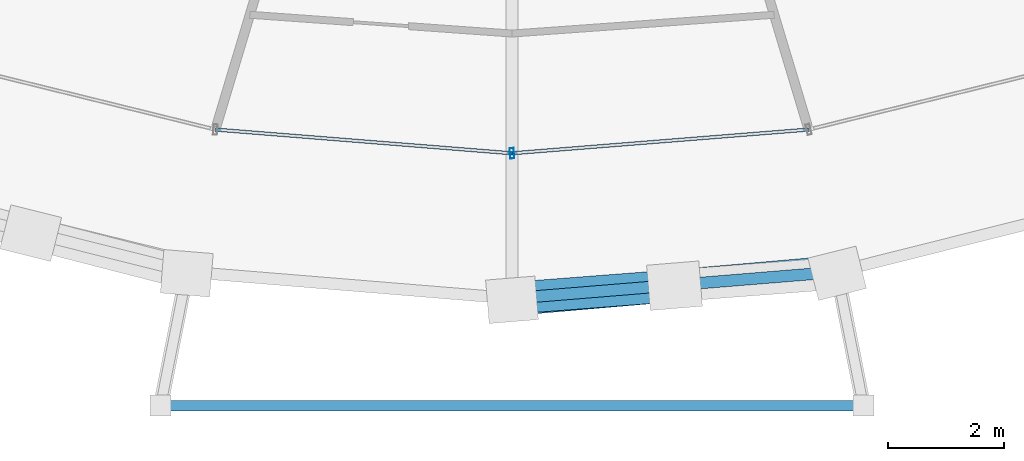
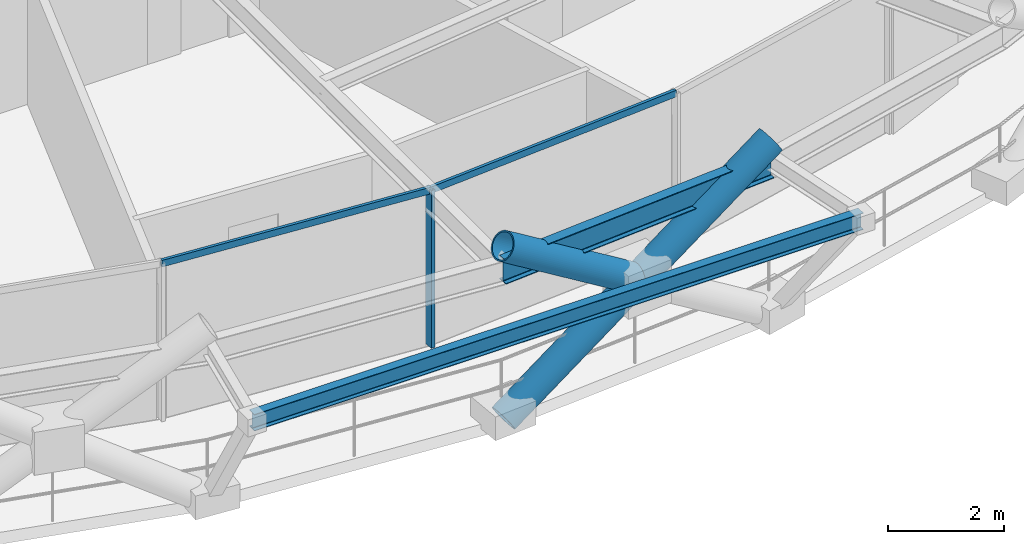
# One storey, part 3 of 21: 5 members, 2 beams, 1 element without a shape of its own.
"""IFC4 building model written with IfcOpenShell, lengths in metres."""

from ifc_helpers import new_model, si_unit, direction, frame, origin, origin_2d, place, context, subcontext, project, spatial, hollow_rectangle, hollow_circle, i_section, extrude, material, layer, layer_set, material_profile, profile_set, type_object, element, aggregate, save


model = new_model("IFC4")

# Units and contexts
model_context = context("Model", 3, precision=1e-05, world=origin(), true_north=direction((0.0, 1.0)))
body_context = subcontext(model_context, "Body", "Model", "MODEL_VIEW")
ifc_project = project(units=[si_unit("LENGTHUNIT", "METRE"), si_unit("AREAUNIT", "SQUARE_METRE"), si_unit("VOLUMEUNIT", "CUBIC_METRE"), si_unit("PLANEANGLEUNIT", "RADIAN"), si_unit("MASSUNIT", "GRAM", prefix="KILO")], contexts=[model_context])

# Site, building, storey
site_placement = place(None, origin())
site = spatial("IfcSite", under=ifc_project, at=site_placement, CompositionType="ELEMENT")
building_placement = place(site_placement, origin())
building = spatial("IfcBuilding", under=site, at=building_placement, Name="Veldorina Hangang Commons", CompositionType="ELEMENT")
storey_placement = place(building_placement, frame((0.0, 0.0, 120.800048828125)))
storey = spatial("IfcBuildingStorey", under=building, at=storey_placement, Name="L30", CompositionType="ELEMENT", Elevation=120.800048828125)

# Beams
ifc_material_1 = material(Name="Steel SM355-TMC", Category="steel")
ifc_material_profile_1 = material_profile(ifc_material_1, i_section(OverallWidth=0.175048828125, OverallDepth=0.35009765625, WebThickness=0.007080078125, FlangeThickness=0.010986328125, FilletRadius=0.012939453125, at=origin_2d()), Name="H-350x175x7x11")
ifc_profile_set_1 = profile_set([ifc_material_profile_1], Name="Steel SM355-TMC")
beam_type_1 = type_object("IfcBeamType", Name="BM-FG350", PredefinedType="BEAM", material=ifc_profile_set_1)
beam_1_placement = place(storey_placement, frame((25.956787109375, -1.58740234375, 3.175048828125), z_axis=(1.0, 0.0, 0.0), x_axis=(0.0, 1.0, 0.0)))
element("IfcBeam", 1, at=beam_1_placement, inside=storey, type_object=beam_type_1, Name="L31 tree balcony 1 outer rim beam", PredefinedType="BEAM", context=body_context, shape_type="SweptSolid", body=[
    extrude(i_section(OverallWidth=0.175048828125, OverallDepth=0.35009765625, WebThickness=0.007080078125, FlangeThickness=0.010986328125, FilletRadius=0.012939453125, at=origin_2d()), origin(), (0.0, 0.0, 1.0), 12.08642578125),
])
ifc_material_2 = material(Name="Steel SM420-TMC", Category="steel")
ifc_material_profile_2 = material_profile(ifc_material_2, i_section(OverallWidth=0.199951171875, OverallDepth=0.5, WebThickness=0.010009765625, FlangeThickness=0.01611328125, FilletRadius=0.01611328125, at=origin_2d()), Name="H-500x200x10x16")
ifc_profile_set_2 = profile_set([ifc_material_profile_2], Name="Steel SM420-TMC")
beam_type_2 = type_object("IfcBeamType", Name="BM-RB500", PredefinedType="BEAM", material=ifc_profile_set_2)
beam_2_placement = place(storey_placement, frame((32.0, 0.257568359375, 3.099853515625), z_axis=(0.996683750667, 0.081372606916, 0.0), x_axis=(-0.081372606916, 0.996683750667, 0.0)))
element("IfcBeam", 2, at=beam_2_placement, inside=storey, type_object=beam_type_2, Name="L30 perimeter hoop ring beam 24", PredefinedType="BEAM", context=body_context, shape_type="SweptSolid", body=[
    extrude(i_section(OverallWidth=0.199951171875, OverallDepth=0.5, WebThickness=0.010009765625, FlangeThickness=0.01611328125, FilletRadius=0.01611328125, at=origin_2d()), origin(), (0.0, 0.0, 1.0), 5.6044921875),
])

# Curtain wall, members
ifc_material_3 = material(Name="Glass Low-E Triple IGU", Category="glass")
ifc_layer = layer(ifc_material_3, 0.179931640625)
ifc_layer_set = layer_set([ifc_layer], Name="Glass Low-E Triple IGU")
curtain_wall_type = type_object("IfcCurtainWallType", Name="CW-SYS-Z2", PredefinedType="NOTDEFINED", material=ifc_layer_set)
curtain_wall_placement = place(storey_placement, origin())
curtain_wall = element("IfcCurtainWall", 3, at=curtain_wall_placement, inside=storey, type_object=curtain_wall_type, Name="L30 unitised curtain wall CW-L30-R1", PredefinedType="NOTDEFINED")
ifc_material_4 = material(Name="Aluminium Anodized AA6063-T6", Category="aluminium")
ifc_material_profile_3 = material_profile(ifc_material_4, hollow_rectangle(XDim=0.070068359375, YDim=0.179931640625, WallThickness=0.00390625, at=origin_2d()), Name="ALU-RHS-180x70x4")
ifc_profile_set_3 = profile_set([ifc_material_profile_3], Name="Aluminium Anodized AA6063-T6")
member_type_1 = type_object("IfcMemberType", Name="CW-MUL-180", PredefinedType="MULLION", material=ifc_profile_set_3)
member_1_placement = place(storey_placement, frame((32.0, 2.753173828125, 0.0), z_axis=(0.0, 0.0, 1.0), x_axis=(0.996812384655, 0.079781387545, 0.0)))
member_1 = element("IfcMember", 4, at=member_1_placement, type_object=member_type_1, Name="CW-L30-R1 vertical mullion 3", PredefinedType="MULLION", context=body_context, shape_type="SweptSolid", body=[
    extrude(hollow_rectangle(XDim=0.070068359375, YDim=0.179931640625, WallThickness=0.00390625, at=origin_2d()), origin(), (0.0, 0.0, 1.0), 3.31005859375),
])
ifc_material_profile_4 = material_profile(ifc_material_4, hollow_rectangle(XDim=0.06005859375, YDim=0.139892578125, WallThickness=0.00341796875, at=origin_2d()), Name="ALU-RHS-140x60x3.5")
ifc_profile_set_4 = profile_set([ifc_material_profile_4], Name="Aluminium Anodized AA6063-T6")
member_type_2 = type_object("IfcMemberType", Name="CW-TRN-140", PredefinedType="USERDEFINED", material=ifc_profile_set_4)
member_2_placement = place(storey_placement, frame((26.89892578125, 3.161376953125, 3.27001953125), z_axis=(0.996813457935, -0.079767976532, 0.0), x_axis=(0.079767976532, 0.996813457935, 0.0)))
member_2 = element("IfcMember", 5, at=member_2_placement, type_object=member_type_2, Name="CW-L30-R1 facet 2 transom 1", ObjectType="TRANSOM", PredefinedType="USERDEFINED", context=body_context, shape_type="SweptSolid", body=[
    extrude(hollow_rectangle(XDim=0.06005859375, YDim=0.139892578125, WallThickness=0.00341796875, at=origin_2d()), origin(), (0.0, 0.0, 1.0), 5.117431640625),
])
member_3_placement = place(storey_placement, frame((32.0, 2.753173828125, 3.27001953125), z_axis=(0.996813457935, 0.079767976532, 0.0), x_axis=(-0.079767976532, 0.996813457935, 0.0)))
member_3 = element("IfcMember", 6, at=member_3_placement, type_object=member_type_2, Name="CW-L30-R1 facet 3 transom 1", ObjectType="TRANSOM", PredefinedType="USERDEFINED", context=body_context, shape_type="SweptSolid", body=[
    extrude(hollow_rectangle(XDim=0.06005859375, YDim=0.139892578125, WallThickness=0.00341796875, at=origin_2d()), origin(), (0.0, 0.0, 1.0), 5.117431640625),
])
aggregate(curtain_wall, [member_1, member_2, member_3])

# Members
ifc_material_profile_5 = material_profile(ifc_material_2, hollow_circle(Radius=0.27490234375, WallThickness=0.028076171875, at=origin_2d()), Name="CHS-550x28")
ifc_profile_set_5 = profile_set([ifc_material_profile_5], Name="Steel SM420-TMC")
member_type_3 = type_object("IfcMemberType", Name="DG-CHS550", PredefinedType="BRACE", material=ifc_profile_set_5)
member_4_placement = place(storey_placement, frame((32.0, 0.233154296875, 0.0), z_axis=(0.838290716303, 0.072706831963, 0.540353950246), x_axis=(-0.086407848629, 0.996259847477, 0.0)))
element("IfcMember", 7, at=member_4_placement, inside=storey, type_object=member_type_3, Name="L30 continuous perimeter diagrid brace 24", PredefinedType="BRACE", context=body_context, shape_type="SweptSolid", body=[
    extrude(hollow_circle(Radius=0.27490234375, WallThickness=0.028076171875, at=origin_2d()), origin(), (0.0, 0.0, 1.0), 6.662109375),
])
member_5_placement = place(storey_placement, frame((34.79443359375, 0.4755859375, 1.80126953125), z_axis=(-0.839142492482, -0.064295646156, 0.540098090347), x_axis=(0.076396729594, -0.997077499349, 0.0)))
element("IfcMember", 8, at=member_5_placement, inside=storey, type_object=member_type_3, Name="L30 split perimeter diagrid upper brace 25", PredefinedType="BRACE", context=body_context, shape_type="SweptSolid", body=[
    extrude(hollow_circle(Radius=0.27490234375, WallThickness=0.028076171875, at=origin_2d()), origin(), (0.0, 0.0, 1.0), 3.330078125),
])

save(model, "model.ifc")
